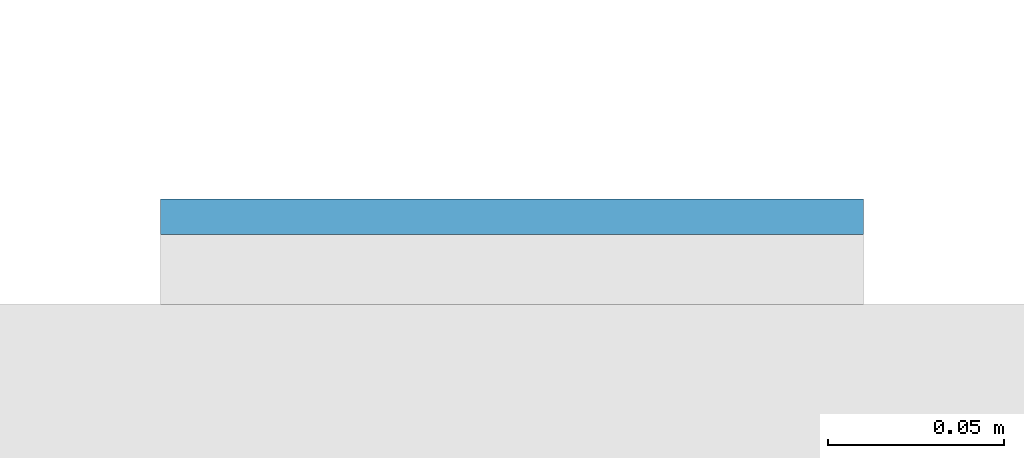
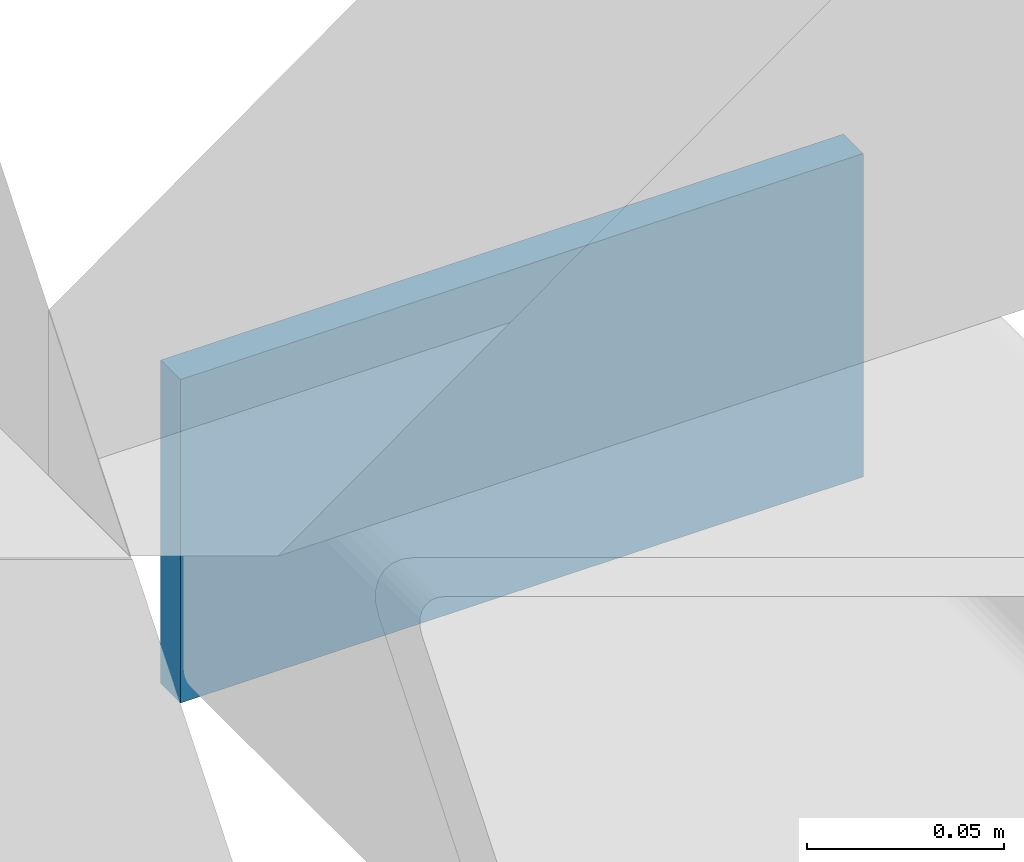
# One storey, part 11 of 20: 1 plate.
"""IFC4 building model written with IfcOpenShell, lengths in metres."""

from ifc_helpers import new_model, si_unit, direction, frame, origin, origin_2d, place, context, subcontext, project, spatial, rectangle, extrude, material, layer, layer_set, type_object, element, save


model = new_model("IFC4")

# Units and contexts
model_context = context("Model", 3, precision=1e-05, world=origin(), true_north=direction((0.0, 1.0)))
body_context = subcontext(model_context, "Body", "Model", "MODEL_VIEW")
ifc_project = project(units=[si_unit("LENGTHUNIT", "METRE"), si_unit("AREAUNIT", "SQUARE_METRE"), si_unit("VOLUMEUNIT", "CUBIC_METRE"), si_unit("PLANEANGLEUNIT", "RADIAN"), si_unit("MASSUNIT", "GRAM", prefix="KILO")], contexts=[model_context])

# Site, building, storey
site_placement = place(None, origin())
site = spatial("IfcSite", under=ifc_project, at=site_placement, CompositionType="ELEMENT")
building_placement = place(site_placement, origin())
building = spatial("IfcBuilding", under=site, at=building_placement, Name="Cleftline Residences", CompositionType="ELEMENT")
storey_placement = place(building_placement, frame((0.0, 0.0, 83.60009765625)))
storey = spatial("IfcBuildingStorey", under=building, at=storey_placement, Name="L21", CompositionType="ELEMENT", Elevation=83.60009765625)

# Plate
ifc_material = material(Name="Steel S355, hot-dip galvanised", Category="steel")
ifc_layer = layer(ifc_material, 0.010009765625)
ifc_layer_set = layer_set([ifc_layer], Name="BAGUETTE CARRIER END PLATE 200X100X10")
plate_type = type_object("IfcPlateType", Name="BAGUETTE CARRIER END PLATE 200X100X10", PredefinedType="USERDEFINED", material=ifc_layer_set)
plate_placement = place(storey_placement, frame((66.85009765625, 44.304931640625, -0.10009765625), z_axis=(0.0, 0.0, 1.0), x_axis=(1.0, 0.0, 0.0)))
element("IfcPlate", 1, at=plate_placement, inside=storey, type_object=plate_type, Name="Baguette carrier end plate", ObjectType="BAGUETTE CARRIER END PLATE", PredefinedType="USERDEFINED", context=body_context, shape_type="SweptSolid", body=[
    extrude(rectangle(XDim=0.199951171875, YDim=0.010009765625, at=origin_2d()), origin(), (0.0, 0.0, 1.0), 0.10009765625),
])

save(model, "model.ifc")
